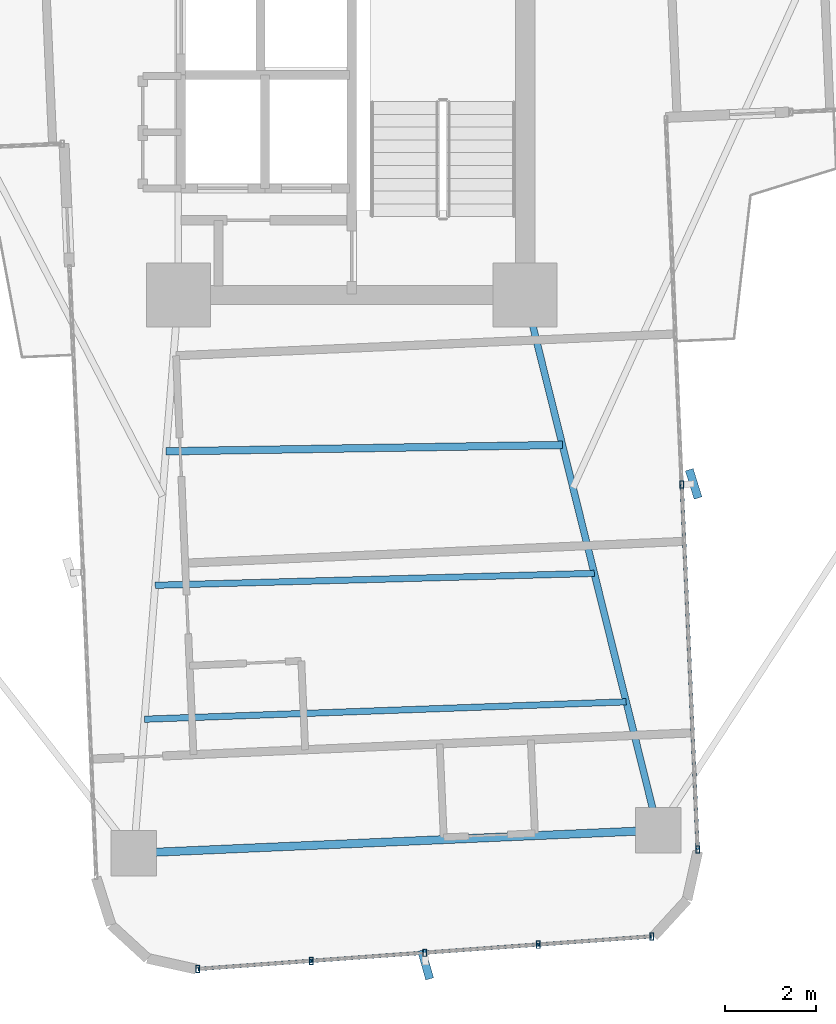
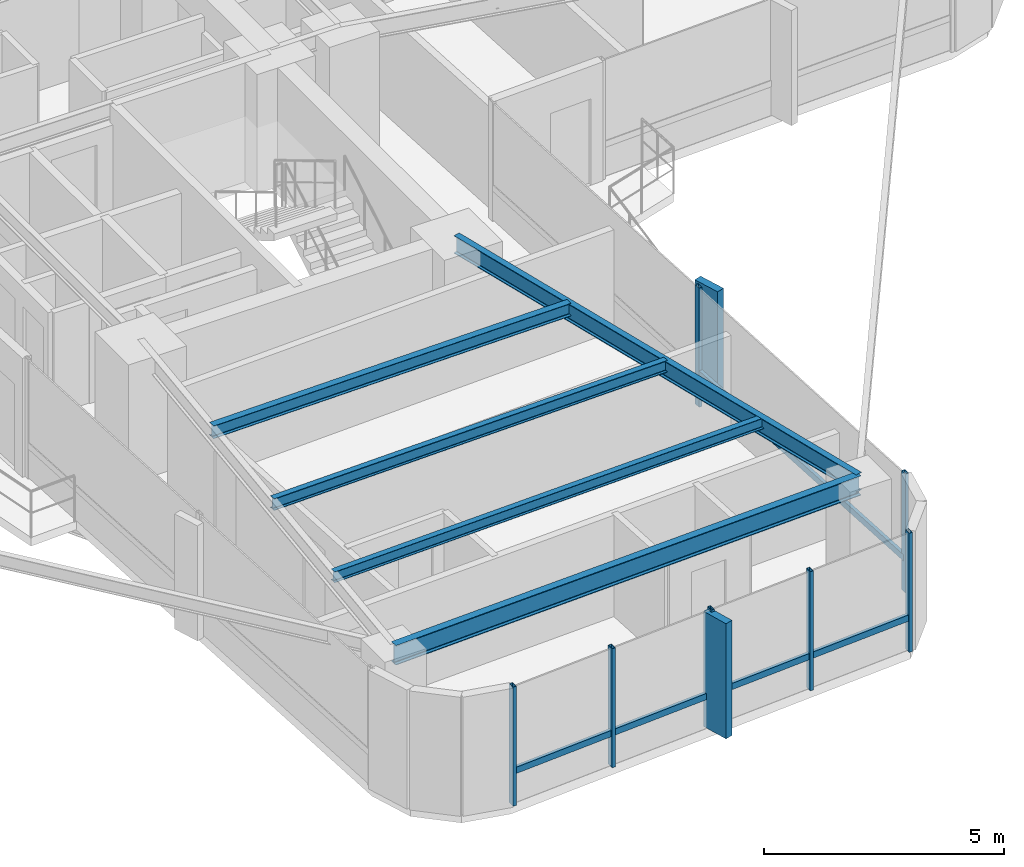
# One storey, part 6 of 26: 14 members, 5 beams, 2 elements without a shape of their own.
"""IFC4 building model written with IfcOpenShell, lengths in metres."""

import ifcopenshell
import ifcopenshell.guid

model = None  # the IFC model being written
_history = None  # IfcOwnerHistory: only IFC2X3 demands one
_inside = {}  # id of a spatial element -> (the spatial element, [elements in it])
_under = {}  # id of a project, library or spatial element -> (it, [spatial elements below it])
_declared = {}  # id of a project -> (the project, [libraries it declares])
_typed = {}  # id of a type object -> (the type object, [elements of that type])
_made_of = {}  # id of a material, layer set ... -> (it, [elements and type objects made of it])


def new_model(schema):
    """Start an empty IFC model of exactly this schema.

    Asked for "IFC4X3", IfcOpenShell would pick the latest addendum, in which some entities
    have other attributes; the version numbers below select the first issue.
    IFC2X3 requires an IfcOwnerHistory on every rooted entity: one is made here for all.
    """
    global model, _history
    if schema == "IFC4X3":
        model = ifcopenshell.file(schema_version=(4, 3, 0, 0))
    else:
        model = ifcopenshell.file(schema=schema)
    _inside.clear()
    _under.clear()
    _declared.clear()
    _typed.clear()
    _made_of.clear()
    _history = None
    if model.schema == "IFC2X3":
        org = make("IfcOrganization", Name="unknown")
        user = make(
            "IfcPersonAndOrganization",
            ThePerson=make("IfcPerson", FamilyName="unknown"),
            TheOrganization=org,
        )
        app = make(
            "IfcApplication",
            ApplicationDeveloper=org,
            Version="unknown",
            ApplicationFullName="unknown",
            ApplicationIdentifier="unknown",
        )
        _history = make(
            "IfcOwnerHistory",
            OwningUser=user,
            OwningApplication=app,
            ChangeAction="ADDED",
            CreationDate=0,
        )
    return model


def make(cls, **values):
    """One entity of the class cls with the attributes given. An attribute that is None is left unset."""
    return model.create_entity(
        cls, **{name: value for name, value in values.items() if value is not None}
    )


def rooted(cls, **values):
    """An entity with a GlobalId (a new one), such as an element, a storey or a relation."""
    return make(cls, GlobalId=ifcopenshell.guid.new(), OwnerHistory=_history, **values)


def si_unit(unit_type, name, prefix=None):
    """IfcSIUnit, for example si_unit("LENGTHUNIT", "METRE", prefix="MILLI")."""
    return make("IfcSIUnit", UnitType=unit_type, Prefix=prefix, Name=name)


def assignment(units):
    """IfcUnitAssignment: the units of a project."""
    return None if units is None else make("IfcUnitAssignment", Units=units)


def point(xyz):
    """IfcCartesianPoint."""
    return None if xyz is None else make("IfcCartesianPoint", Coordinates=xyz)


def direction(xyz):
    """IfcDirection."""
    return None if xyz is None else make("IfcDirection", DirectionRatios=xyz)


def frame(location, z_axis=None, x_axis=None):
    """IfcAxis2Placement3D, a coordinate frame: its origin and axes. An axis left out is left unset."""
    return make(
        "IfcAxis2Placement3D",
        Location=point(location),
        Axis=direction(z_axis),
        RefDirection=direction(x_axis),
    )


def frame_2d(location, x_axis=None):
    """IfcAxis2Placement2D, a coordinate frame in the plane: its origin and x axis."""
    return make(
        "IfcAxis2Placement2D", Location=point(location), RefDirection=direction(x_axis)
    )


def origin():
    """The frame at (0, 0, 0) with its axes left unset."""
    return frame((0.0, 0.0, 0.0))


def origin_2d():
    """The frame at (0, 0) in the plane with its x axis left unset."""
    return frame_2d((0.0, 0.0))


def place(relative_to, where):
    """IfcLocalPlacement: puts the frame where relative to a parent placement (None: the world)."""
    return make(
        "IfcLocalPlacement", PlacementRelTo=relative_to, RelativePlacement=where
    )


def context(
    kind, dimensions, precision=None, world=None, true_north=None, identifier=None
):
    """IfcGeometricRepresentationContext, for example the 3D "Model" context."""
    return make(
        "IfcGeometricRepresentationContext",
        ContextIdentifier=identifier,
        ContextType=kind,
        CoordinateSpaceDimension=dimensions,
        Precision=precision,
        WorldCoordinateSystem=world,
        TrueNorth=true_north,
    )


def subcontext(parent, identifier, kind, view, scale=None):
    """IfcGeometricRepresentationSubContext, for example "Body" below "Model"."""
    return make(
        "IfcGeometricRepresentationSubContext",
        ContextIdentifier=identifier,
        ContextType=kind,
        ParentContext=parent,
        TargetScale=scale,
        TargetView=view,
    )


def project(units=None, contexts=None):
    """IfcProject with its units and contexts."""
    return rooted(
        "IfcProject",
        Name="project",
        RepresentationContexts=contexts,
        UnitsInContext=assignment(units),
    )


def spatial(cls, under=None, at=None, **own):
    """A site, building, storey or space (cls), placed at a placement, below another one or the project."""
    s = rooted(cls, ObjectPlacement=at, **own)
    if under is not None:
        _under.setdefault(under.id(), (under, []))[1].append(s)
    return s


def profile(cls, at=None, kind="AREA", **sizes):
    """A parametric profile (cls). Its sizes go by their IFC names, for example OverallWidth=200.0."""
    return make(cls, ProfileType=kind, Position=at, **sizes)


def rectangle(**sizes):
    """IfcRectangleProfileDef."""
    return profile("IfcRectangleProfileDef", **sizes)


def hollow_rectangle(**sizes):
    """IfcRectangleHollowProfileDef."""
    return profile("IfcRectangleHollowProfileDef", **sizes)


def i_section(**sizes):
    """IfcIShapeProfileDef."""
    return profile("IfcIShapeProfileDef", **sizes)


def extrude(swept, where, along, depth):
    """IfcExtrudedAreaSolid: the profile swept, set in the frame where, extruded along a direction by depth."""
    return make(
        "IfcExtrudedAreaSolid",
        SweptArea=swept,
        Position=where,
        ExtrudedDirection=direction(along),
        Depth=depth,
    )


def shape(context_of_items, identifier, shape_type, items):
    """IfcShapeRepresentation: the items that make up one representation, for example the "Body"."""
    return make(
        "IfcShapeRepresentation",
        ContextOfItems=context_of_items,
        RepresentationIdentifier=identifier,
        RepresentationType=shape_type,
        Items=items,
    )


def source(mapping_origin, context_of_items, identifier, shape_type, items):
    """IfcRepresentationMap: a shape defined once, which mapped items show again and again."""
    return make(
        "IfcRepresentationMap",
        MappingOrigin=mapping_origin,
        MappedRepresentation=shape(context_of_items, identifier, shape_type, items),
    )


def transform(
    local_origin,
    x_axis=None,
    y_axis=None,
    z_axis=None,
    scale=None,
    scale2=None,
    scale3=None,
    uniform=True,
):
    """IfcCartesianTransformationOperator3D, or its non-uniform kind. x_axis, y_axis, z_axis: its Axis1, 2, 3."""
    if uniform:
        return make(
            "IfcCartesianTransformationOperator3D",
            Axis1=direction(x_axis),
            Axis2=direction(y_axis),
            LocalOrigin=point(local_origin),
            Scale=scale,
            Axis3=direction(z_axis),
        )
    return make(
        "IfcCartesianTransformationOperator3DnonUniform",
        Axis1=direction(x_axis),
        Axis2=direction(y_axis),
        LocalOrigin=point(local_origin),
        Scale=scale,
        Axis3=direction(z_axis),
        Scale2=scale2,
        Scale3=scale3,
    )


def mapped(mapping_source, mapping_target):
    """IfcMappedItem: shows the shape of a source again, moved by a transform."""
    return make(
        "IfcMappedItem", MappingSource=mapping_source, MappingTarget=mapping_target
    )


def material(Name=None, Category=None):
    """IfcMaterial."""
    return make("IfcMaterial", Name=Name, Category=Category)


def material_profile(
    of_material, cross_section, Name=None, Category=None, Priority=None
):
    """IfcMaterialProfile: a cross section and its material."""
    return make(
        "IfcMaterialProfile",
        Name=Name,
        Material=of_material,
        Profile=cross_section,
        Priority=Priority,
        Category=Category,
    )


def profile_set(profiles, Name=None, composite=None):
    """IfcMaterialProfileSet."""
    return make(
        "IfcMaterialProfileSet",
        Name=Name,
        MaterialProfiles=profiles,
        CompositeProfile=composite,
    )


def made_of(thing, what):
    """Note that an element or type object is made of a material, layer set ...; save() writes the relation."""
    if what is not None:
        _made_of.setdefault(what.id(), (what, []))[1].append(thing)
    return thing


def type_object(cls, material=None, **own):
    """A type object (cls), such as IfcWallType, which elements share."""
    return made_of(rooted(cls, **own), material)


def element(
    cls,
    number,
    at=None,
    inside=None,
    cuts=None,
    type_object=None,
    material=None,
    context=None,
    identifier="Body",
    shape_type=None,
    held_by="IfcProductDefinitionShape",
    body=None,
    shapes=None,
    **own,
):
    """One element of the class cls, such as IfcWall. Its Tag is "e" and its number.

    at: its placement. inside: the storey or other place that contains it. cuts: it is an
    opening in that element (IfcRelVoidsElement). A single representation is given by context,
    identifier, shape_type and body (its items); several are given by shapes. held_by: the class
    of the entity that holds the representations. save() writes the other relations.
    """
    e = rooted(cls, Tag="e%d" % number, ObjectPlacement=at, **own)
    if body is not None:
        shapes = [shape(context, identifier, shape_type, body)]
    if shapes is not None:
        e.Representation = make(held_by, Representations=shapes)
    if inside is not None:
        _inside.setdefault(inside.id(), (inside, []))[1].append(e)
    if cuts is not None:
        rooted(
            "IfcRelVoidsElement", RelatingBuildingElement=cuts, RelatedOpeningElement=e
        )
    if type_object is not None:
        _typed.setdefault(type_object.id(), (type_object, []))[1].append(e)
    return made_of(e, material)


def aggregate(whole, parts):
    """IfcRelAggregates: a whole, such as a stair, and the parts it consists of."""
    return rooted("IfcRelAggregates", RelatingObject=whole, RelatedObjects=parts)


def save(model, path):
    """Write the relations noted so far, then the file.

    IfcRelAggregates (storeys below a building ...), IfcRelContainedInSpatialStructure (elements
    in a storey), IfcRelDefinesByType, IfcRelAssociatesMaterial and IfcRelDeclares: one each for
    every whole, place, type object, material and project.
    """
    for whole, parts in _under.values():
        aggregate(whole, parts)
    for where, things in _inside.values():
        rooted(
            "IfcRelContainedInSpatialStructure",
            RelatedElements=things,
            RelatingStructure=where,
        )
    for kind, things in _typed.values():
        rooted("IfcRelDefinesByType", RelatedObjects=things, RelatingType=kind)
    for what, things in _made_of.values():
        rooted("IfcRelAssociatesMaterial", RelatedObjects=things, RelatingMaterial=what)
    for by, libraries in _declared.values():
        rooted("IfcRelDeclares", RelatingContext=by, RelatedDefinitions=libraries)
    model.write(path)


model = new_model("IFC4")

# Units and contexts
model_context = context("Model", 3, precision=1e-05, world=origin(), true_north=direction((0.0, 1.0)))
body_context = subcontext(model_context, "Body", "Model", "MODEL_VIEW")
ifc_project = project(units=[si_unit("LENGTHUNIT", "METRE"), si_unit("AREAUNIT", "SQUARE_METRE"), si_unit("VOLUMEUNIT", "CUBIC_METRE"), si_unit("PLANEANGLEUNIT", "RADIAN"), si_unit("MASSUNIT", "GRAM", prefix="KILO")], contexts=[model_context])

# Site, building, storey
site_placement = place(None, origin())
site = spatial("IfcSite", under=ifc_project, at=site_placement, CompositionType="ELEMENT")
building_placement = place(site_placement, origin())
building = spatial("IfcBuilding", under=site, at=building_placement, Name="Sahyath Konkavel Grand Hotel", CompositionType="ELEMENT")
storey_placement = place(building_placement, frame((0.0, 0.0, 134.89990234375)))
storey = spatial("IfcBuildingStorey", under=building, at=storey_placement, Name="L37", CompositionType="ELEMENT", Elevation=134.89990234375)

# Beams
ifc_material_1 = material(Name="Steel E350", Category="steel")
ifc_material_profile_1 = material_profile(ifc_material_1, i_section(OverallWidth=0.14990234375, OverallDepth=0.449951171875, WebThickness=0.009521484375, FlangeThickness=0.017333984375, FilletRadius=0.014892578125, at=origin_2d()), Name="ISMB 450")
ifc_profile_set_1 = profile_set([ifc_material_profile_1], Name="Steel E350")
beam_type_1 = type_object("IfcBeamType", Name="BM-ISMB450", PredefinedType="BEAM", material=ifc_profile_set_1)
shared_shape_1 = source(origin(), body_context, "Body", "SweptSolid", [
    extrude(i_section(OverallWidth=0.14990234375, OverallDepth=0.449951171875, WebThickness=0.009521484375, FlangeThickness=0.017333984375, FilletRadius=0.014892578125, at=origin_2d()), origin(), (0.0, 0.0, 1.0), 12.084228515625),
])
beam_1_placement = place(storey_placement, frame((3.800048828125, -10.199951171875, 2.80517578125), z_axis=(0.241042688481, -0.970514514229, 0.0), x_axis=(0.970514514229, 0.241042688481, 0.0)))
element("IfcBeam", 1, at=beam_1_placement, inside=storey, type_object=beam_type_1, Name="L37 Cruciform Radial Girder SB", PredefinedType="BEAM", context=body_context, shape_type="MappedRepresentation", body=[
    mapped(shared_shape_1, transform((0.0, 0.0, 0.0), scale=1.0)),
])
ifc_material_profile_2 = material_profile(ifc_material_1, i_section(OverallWidth=0.179931640625, OverallDepth=0.5, WebThickness=0.01025390625, FlangeThickness=0.01708984375, FilletRadius=0.01708984375, at=origin_2d()), Name="ISMB 500")
ifc_profile_set_2 = profile_set([ifc_material_profile_2], Name="Steel E350")
beam_type_2 = type_object("IfcBeamType", Name="BM-ISMB500", PredefinedType="BEAM", material=ifc_profile_set_2)
shared_shape_2 = source(origin(), body_context, "Body", "SweptSolid", [
    extrude(i_section(OverallWidth=0.179931640625, OverallDepth=0.5, WebThickness=0.01025390625, FlangeThickness=0.01708984375, FilletRadius=0.01708984375, at=origin_2d()), origin(), (0.0, 0.0, 1.0), 11.5),
])
beam_2_placement = place(storey_placement, frame((-4.776123046875, -22.4296875, 2.780029296875), z_axis=(0.99904788879, 0.043627008892, 0.0), x_axis=(-0.043627008892, 0.99904788879, 0.0)))
element("IfcBeam", 2, at=beam_2_placement, inside=storey, type_object=beam_type_2, Name="L37 Wing Tip Edge Beam S", PredefinedType="BEAM", context=body_context, shape_type="MappedRepresentation", body=[
    mapped(shared_shape_2, transform((0.0, 0.0, 0.0), scale=1.0)),
])
ifc_material_profile_3 = material_profile(ifc_material_1, i_section(OverallWidth=0.1650390625, OverallDepth=0.324951171875, WebThickness=0.007080078125, FlangeThickness=0.009765625, FilletRadius=0.014892578125, at=origin_2d()), Name="ISLB 325")
ifc_profile_set_3 = profile_set([ifc_material_profile_3], Name="Steel E350")
beam_type_3 = type_object("IfcBeamType", Name="BM-ISLB325", PredefinedType="BEAM", material=ifc_profile_set_3)
shared_shape_3 = source(origin(), body_context, "Body", "SweptSolid", [
    extrude(i_section(OverallWidth=0.1650390625, OverallDepth=0.324951171875, WebThickness=0.007080078125, FlangeThickness=0.009765625, FilletRadius=0.014892578125, at=origin_2d()), origin(), (0.0, 0.0, 1.0), 8.68994140625),
])
beam_3_placement = place(storey_placement, frame((-4.0732421875, -13.624267578125, 2.86767578125), z_axis=(0.999869506431, 0.016154569283, 0.0), x_axis=(-0.016154569283, 0.999869506431, 0.0)))
element("IfcBeam", 3, at=beam_3_placement, inside=storey, type_object=beam_type_3, Name="L37 Secondary Floor Beam S-1", PredefinedType="BEAM", context=body_context, shape_type="MappedRepresentation", body=[
    mapped(shared_shape_3, transform((0.0, 0.0, 0.0), scale=1.0)),
])
ifc_material_profile_4 = material_profile(ifc_material_1, i_section(OverallWidth=0.139892578125, OverallDepth=0.300048828125, WebThickness=0.0078125, FlangeThickness=0.01318359375, FilletRadius=0.013916015625, at=origin_2d()), Name="ISMB 300")
ifc_profile_set_4 = profile_set([ifc_material_profile_4], Name="Steel E350")
beam_type_4 = type_object("IfcBeamType", Name="BM-ISMB300", PredefinedType="BEAM", material=ifc_profile_set_4)
shared_shape_4 = source(origin(), body_context, "Body", "SweptSolid", [
    extrude(i_section(OverallWidth=0.139892578125, OverallDepth=0.300048828125, WebThickness=0.0078125, FlangeThickness=0.01318359375, FilletRadius=0.013916015625, at=origin_2d()), origin(), (0.0, 0.0, 1.0), 9.625732421875),
])
beam_4_placement = place(storey_placement, frame((-4.3076171875, -16.559326171875, 2.880126953125), z_axis=(0.999633060528, 0.027087714933, 0.0), x_axis=(-0.027087714933, 0.999633060528, 0.0)))
element("IfcBeam", 4, at=beam_4_placement, inside=storey, type_object=beam_type_4, Name="L37 Secondary Floor Beam S-2", PredefinedType="BEAM", context=body_context, shape_type="MappedRepresentation", body=[
    mapped(shared_shape_4, transform((0.0, 0.0, 0.0), scale=1.0)),
])
ifc_material_profile_5 = material_profile(ifc_material_1, i_section(OverallWidth=0.139892578125, OverallDepth=0.27490234375, WebThickness=0.00634765625, FlangeThickness=0.0087890625, FilletRadius=0.012939453125, at=origin_2d()), Name="ISLB 275")
ifc_profile_set_5 = profile_set([ifc_material_profile_5], Name="Steel E350")
beam_type_5 = type_object("IfcBeamType", Name="BM-ISLB275", PredefinedType="BEAM", material=ifc_profile_set_5)
shared_shape_5 = source(origin(), body_context, "Body", "SweptSolid", [
    extrude(i_section(OverallWidth=0.139892578125, OverallDepth=0.27490234375, WebThickness=0.00634765625, FlangeThickness=0.0087890625, FilletRadius=0.012939453125, at=origin_2d()), origin(), (0.0, 0.0, 1.0), 10.562744140625),
])
beam_5_placement = place(storey_placement, frame((-4.5419921875, -19.49462890625, 2.892578125), z_axis=(0.999348077295, 0.036102914095, 0.0), x_axis=(-0.036102914095, 0.999348077295, 0.0)))
element("IfcBeam", 5, at=beam_5_placement, inside=storey, type_object=beam_type_5, Name="L37 Secondary Floor Beam S-3", PredefinedType="BEAM", context=body_context, shape_type="MappedRepresentation", body=[
    mapped(shared_shape_5, transform((0.0, 0.0, 0.0), scale=1.0)),
])

# Curtain wall, members
ifc_material_2 = material(Name="Anodised Bronze Aluminium & Low-E Glazing", Category="aluminium")
curtain_wall_type = type_object("IfcCurtainWallType", Name="CW-ZONE2", PredefinedType="NOTDEFINED", material=ifc_material_2)
curtain_wall_1_placement = place(storey_placement, origin())
curtain_wall_1 = element("IfcCurtainWall", 6, at=curtain_wall_1_placement, inside=storey, type_object=curtain_wall_type, Name="L37 Unitised Curtain Wall F28", PredefinedType="NOTDEFINED")
ifc_material_3 = material(Name="Anodised Bronze Aluminium", Category="aluminium")
ifc_material_profile_6 = material_profile(ifc_material_3, hollow_rectangle(XDim=0.080078125, YDim=0.159912109375, WallThickness=0.006103515625, at=origin_2d()), Name="RHS 160x80x6")
ifc_profile_set_6 = profile_set([ifc_material_profile_6], Name="Anodised Bronze Aluminium")
member_type_1 = type_object("IfcMemberType", Name="CW-MUL-160", PredefinedType="MULLION", material=ifc_profile_set_6)
shared_shape_6 = source(origin(), body_context, "Body", "SweptSolid", [
    extrude(hollow_rectangle(XDim=0.080078125, YDim=0.159912109375, WallThickness=0.006103515625, at=origin_2d()), origin(), (0.0, 0.0, 1.0), 3.030029296875),
])
member_1_placement = place(storey_placement, frame((-3.3740234375, -24.9697265625, 0.0), z_axis=(0.0, 0.0, 1.0), x_axis=(1.0, 0.0, 0.0)))
member_1 = element("IfcMember", 7, at=member_1_placement, type_object=member_type_1, Name="L37 Curtain Wall Mullion F28-0", PredefinedType="MULLION", context=body_context, shape_type="MappedRepresentation", body=[
    mapped(shared_shape_6, transform((0.0, 0.0, 0.0), scale=1.0)),
])
member_2_placement = place(storey_placement, frame((-0.886962890625, -24.79150390625, 0.0), z_axis=(0.0, 0.0, 1.0), x_axis=(1.0, 0.0, 0.0)))
member_2 = element("IfcMember", 8, at=member_2_placement, type_object=member_type_1, Name="L37 Curtain Wall Mullion F28-1", PredefinedType="MULLION", context=body_context, shape_type="MappedRepresentation", body=[
    mapped(shared_shape_6, transform((0.0, 0.0, 0.0), scale=1.0)),
])
member_3_placement = place(storey_placement, frame((1.60009765625, -24.61279296875, 0.0), z_axis=(0.0, 0.0, 1.0), x_axis=(1.0, 0.0, 0.0)))
member_3 = element("IfcMember", 9, at=member_3_placement, type_object=member_type_1, Name="L37 Curtain Wall Mullion F28-2", PredefinedType="MULLION", context=body_context, shape_type="MappedRepresentation", body=[
    mapped(shared_shape_6, transform((0.0, 0.0, 0.0), scale=1.0)),
])
member_4_placement = place(storey_placement, frame((4.087158203125, -24.4345703125, 0.0), z_axis=(0.0, 0.0, 1.0), x_axis=(1.0, 0.0, 0.0)))
member_4 = element("IfcMember", 10, at=member_4_placement, type_object=member_type_1, Name="L37 Curtain Wall Mullion F28-3", PredefinedType="MULLION", context=body_context, shape_type="MappedRepresentation", body=[
    mapped(shared_shape_6, transform((0.0, 0.0, 0.0), scale=1.0)),
])
member_5_placement = place(storey_placement, frame((6.57421875, -24.256103515625, 0.0), z_axis=(0.0, 0.0, 1.0), x_axis=(1.0, 0.0, 0.0)))
member_5 = element("IfcMember", 11, at=member_5_placement, type_object=member_type_1, Name="L37 Curtain Wall Mullion F28-4", PredefinedType="MULLION", context=body_context, shape_type="MappedRepresentation", body=[
    mapped(shared_shape_6, transform((0.0, 0.0, 0.0), scale=1.0)),
])

curtain_wall_2_placement = place(storey_placement, origin())
curtain_wall_2 = element("IfcCurtainWall", 12, at=curtain_wall_2_placement, inside=storey, type_object=curtain_wall_type, Name="L37 Unitised Curtain Wall F31", PredefinedType="NOTDEFINED")
member_6_placement = place(storey_placement, frame((7.582275390625, -22.3505859375, 0.0), z_axis=(0.0, 0.0, 1.0), x_axis=(1.0, 0.0, 0.0)))
member_6 = element("IfcMember", 13, at=member_6_placement, type_object=member_type_1, Name="L37 Curtain Wall Mullion F31-0", PredefinedType="MULLION", context=body_context, shape_type="MappedRepresentation", body=[
    mapped(shared_shape_6, transform((0.0, 0.0, 0.0), scale=1.0)),
])
member_7_placement = place(storey_placement, frame((7.232666015625, -14.34814453125, 0.0), z_axis=(0.0, 0.0, 1.0), x_axis=(1.0, 0.0, 0.0)))
member_7 = element("IfcMember", 14, at=member_7_placement, type_object=member_type_1, Name="L37 Curtain Wall Mullion F31-1", PredefinedType="MULLION", context=body_context, shape_type="MappedRepresentation", body=[
    mapped(shared_shape_6, transform((0.0, 0.0, 0.0), scale=1.0)),
])

# Member
ifc_material_4 = material(Name="Warm Buff Sandstone Cladding on Concrete C50/60", Category="masonry")
ifc_material_profile_7 = material_profile(ifc_material_4, rectangle(XDim=0.179931640625, YDim=0.64990234375, at=origin_2d()), Name="FIN 180x650")
ifc_profile_set_7 = profile_set([ifc_material_profile_7], Name="Warm Buff Sandstone Cladding on Concrete C50/60")
member_type_2 = type_object("IfcMemberType", Name="FIN-SANDSTONE-650", PredefinedType="MULLION", material=ifc_profile_set_7)
shared_shape_7 = source(origin(), body_context, "Body", "SweptSolid", [
    extrude(rectangle(XDim=0.179931640625, YDim=0.64990234375, at=origin_2d()), origin(), (0.0, 0.0, 1.0), 2.929931640625),
])
member_8_placement = place(storey_placement, frame((1.61865234375, -24.872314453125, 0.050048828125), z_axis=(0.0, 0.0, 1.0), x_axis=(0.962360427228, 0.271776393577, 0.0)))
member_8 = element("IfcMember", 15, at=member_8_placement, type_object=member_type_2, Name="L37 Sandstone Vertical Solar Fin FIN F28-2", PredefinedType="MULLION", context=body_context, shape_type="MappedRepresentation", body=[
    mapped(shared_shape_7, transform((0.0, 0.0, 0.0), scale=1.0)),
])

member_9_placement = place(storey_placement, frame((7.492431640625, -14.3369140625, 0.050048828125), z_axis=(0.0, 0.0, 1.0), x_axis=(0.954812686667, 0.297208232354, 0.0)))
member_9 = element("IfcMember", 16, at=member_9_placement, type_object=member_type_2, Name="L37 Sandstone Vertical Solar Fin FIN F31-1", PredefinedType="MULLION", context=body_context, shape_type="MappedRepresentation", body=[
    mapped(shared_shape_7, transform((0.0, 0.0, 0.0), scale=1.0)),
])

ifc_material_profile_8 = material_profile(ifc_material_3, hollow_rectangle(XDim=0.080078125, YDim=0.159912109375, WallThickness=0.006103515625, at=origin_2d()), Name="RHS 160x80x6")
ifc_profile_set_8 = profile_set([ifc_material_profile_8], Name="Anodised Bronze Aluminium")
member_type_3 = type_object("IfcMemberType", Name="CW-TRN-160", PredefinedType="USERDEFINED", material=ifc_profile_set_8)
shared_shape_8 = source(origin(), body_context, "Body", "SweptSolid", [
    extrude(hollow_rectangle(XDim=0.080078125, YDim=0.159912109375, WallThickness=0.006103515625, at=origin_2d()), origin(), (0.0, 0.0, 1.0), 2.493408203125),
])
member_10_placement = place(storey_placement, frame((-3.3740234375, -24.9697265625, 0.85009765625), z_axis=(0.997442271688, 0.071476672066, 0.0), x_axis=(-0.071476672066, 0.997442271688, 0.0)))
member_10 = element("IfcMember", 17, at=member_10_placement, type_object=member_type_3, Name="L37 Curtain Wall Transom F28-0-spandrel", ObjectType="TRANSOM", PredefinedType="USERDEFINED", context=body_context, shape_type="MappedRepresentation", body=[
    mapped(shared_shape_8, transform((0.0, 0.0, 0.0), scale=1.0)),
])

member_11_placement = place(storey_placement, frame((-0.886962890625, -24.79150390625, 0.85009765625), z_axis=(0.997428291631, 0.071671494009, 0.0), x_axis=(-0.071671494009, 0.997428291631, 0.0)))
member_11 = element("IfcMember", 18, at=member_11_placement, type_object=member_type_3, Name="L37 Curtain Wall Transom F28-1-spandrel", ObjectType="TRANSOM", PredefinedType="USERDEFINED", context=body_context, shape_type="MappedRepresentation", body=[
    mapped(shared_shape_8, transform((0.0, 0.0, 0.0), scale=1.0)),
])

member_12_placement = place(storey_placement, frame((1.60009765625, -24.61279296875, 0.85009765625), z_axis=(0.997442271688, 0.071476672066, 0.0), x_axis=(-0.071476672066, 0.997442271688, 0.0)))
member_12 = element("IfcMember", 19, at=member_12_placement, type_object=member_type_3, Name="L37 Curtain Wall Transom F28-2-spandrel", ObjectType="TRANSOM", PredefinedType="USERDEFINED", context=body_context, shape_type="MappedRepresentation", body=[
    mapped(shared_shape_8, transform((0.0, 0.0, 0.0), scale=1.0)),
])

member_13_placement = place(storey_placement, frame((4.087158203125, -24.4345703125, 0.85009765625), z_axis=(0.997435286367, 0.071574084062, 0.0), x_axis=(-0.071574084062, 0.997435286367, 0.0)))
member_13 = element("IfcMember", 20, at=member_13_placement, type_object=member_type_3, Name="L37 Curtain Wall Transom F28-3-spandrel", ObjectType="TRANSOM", PredefinedType="USERDEFINED", context=body_context, shape_type="MappedRepresentation", body=[
    mapped(shared_shape_8, transform((0.0, 0.0, 0.0), scale=1.0)),
])

aggregate(curtain_wall_1, [member_1, member_2, member_3, member_8, member_4, member_5, member_10, member_11, member_12, member_13])

shared_shape_9 = source(origin(), body_context, "Body", "SweptSolid", [
    extrude(hollow_rectangle(XDim=0.080078125, YDim=0.159912109375, WallThickness=0.006103515625, at=origin_2d()), origin(), (0.0, 0.0, 1.0), 8.010009765625),
])
member_14_placement = place(storey_placement, frame((7.582275390625, -22.3505859375, 0.85009765625), z_axis=(-0.043646207089, 0.999047050247, 0.0), x_axis=(-0.999047050247, -0.043646207089, 0.0)))
member_14 = element("IfcMember", 21, at=member_14_placement, type_object=member_type_3, Name="L37 Curtain Wall Transom F31-0-spandrel", ObjectType="TRANSOM", PredefinedType="USERDEFINED", context=body_context, shape_type="MappedRepresentation", body=[
    mapped(shared_shape_9, transform((0.0, 0.0, 0.0), scale=1.0)),
])

aggregate(curtain_wall_2, [member_6, member_7, member_9, member_14])

save(model, "model.ifc")
